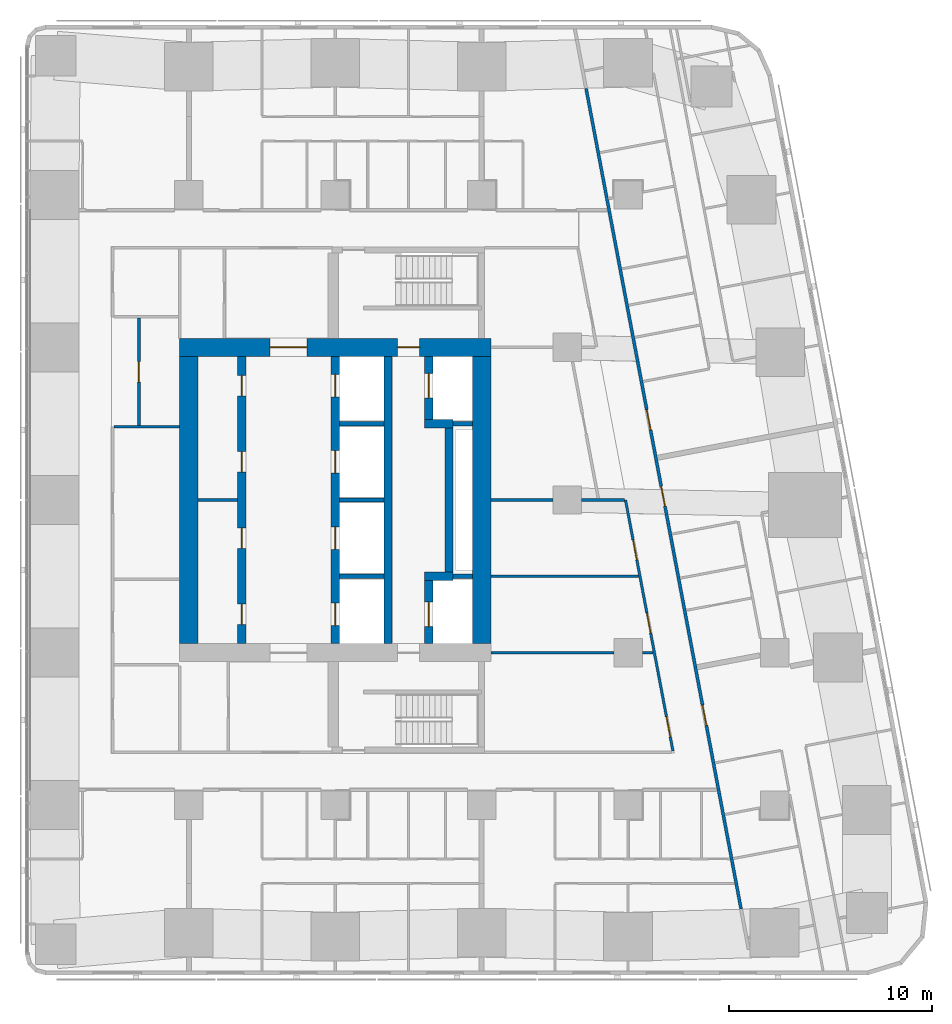
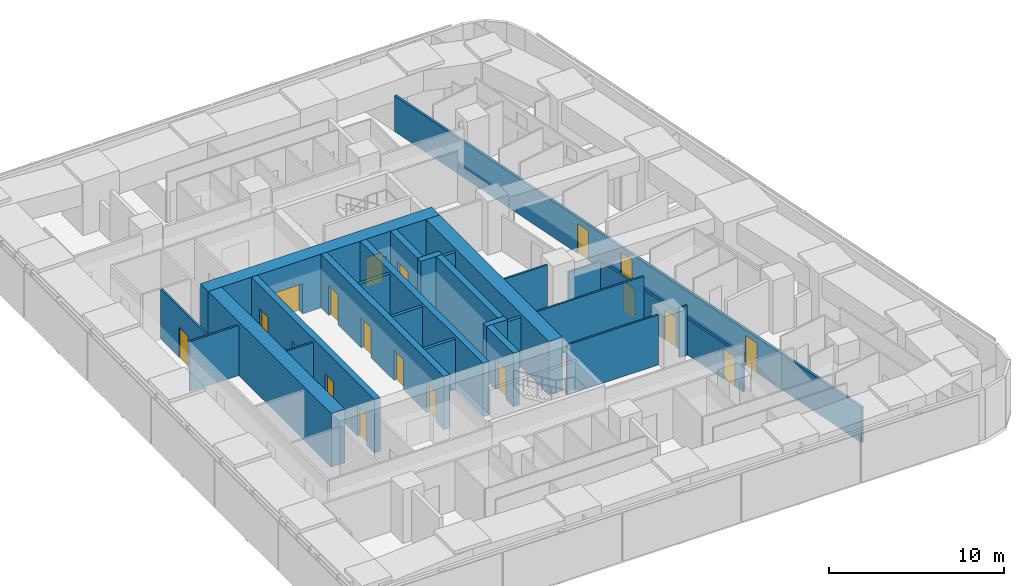
# One storey, part 12 of 19: 26 walls, 19 doors, 19 openings.
"""IFC4 building model written with IfcOpenShell, lengths in metres."""

from ifc_helpers import new_model, si_unit, direction, frame, frame_2d, origin, place, context, subcontext, project, spatial, rectangle, extrude, material, layer, layer_set, type_object, element, fill, save


model = new_model("IFC4")

# Units and contexts
model_context = context("Model", 3, precision=1e-05, world=origin(), true_north=direction((0.0, 1.0)))
body_context = subcontext(model_context, "Body", "Model", "MODEL_VIEW")
ifc_project = project(units=[si_unit("LENGTHUNIT", "METRE"), si_unit("AREAUNIT", "SQUARE_METRE"), si_unit("VOLUMEUNIT", "CUBIC_METRE"), si_unit("PLANEANGLEUNIT", "RADIAN"), si_unit("MASSUNIT", "GRAM", prefix="KILO")], contexts=[model_context])

# Site, building, storey
site_placement = place(None, origin())
site = spatial("IfcSite", under=ifc_project, at=site_placement, CompositionType="ELEMENT")
building_placement = place(site_placement, origin())
building = spatial("IfcBuilding", under=site, at=building_placement, Name="Sheger Commons Tower", CompositionType="ELEMENT")
storey_placement = place(building_placement, frame((0.0, 0.0, 201.199951171875)))
storey = spatial("IfcBuildingStorey", under=building, at=storey_placement, Name="L51", CompositionType="ELEMENT", Elevation=201.199951171875)

# Wall, openings, doors
ifc_material_1 = material(Name="Concrete C50/60", Category="concrete")
ifc_layer_1 = layer(ifc_material_1, 0.39990234375)
ifc_layer_set_1 = layer_set([ifc_layer_1], Name="CORE INNER WALL 400")
wall_type_1 = type_object("IfcWallType", Name="CORE INNER WALL 400", PredefinedType="SHEAR", material=ifc_layer_set_1)
wall_1_placement = place(storey_placement, frame((17.0, 15.449951171875, 0.0), z_axis=(0.0, 0.0, 1.0), x_axis=(0.0, 1.0, 0.0)))
wall_1 = element("IfcWall", 1, at=wall_1_placement, inside=storey, type_object=wall_type_1, Name="Core inner wall A L51", PredefinedType="SHEAR", context=body_context, shape_type="SweptSolid", body=[
    extrude(rectangle(XDim=14.10009765625, YDim=0.39990234375, at=frame_2d((7.050048828125, 0.0))), origin(), (0.0, 0.0, 1.0), 3.75),
])
opening_1_placement = place(wall_1_placement, frame((0.925048828125, 0.0, 0.0)))
opening_1 = element("IfcOpeningElement", 2, at=opening_1_placement, cuts=wall_1, Name="Opening D4", PredefinedType="OPENING", context=body_context, shape_type="SweptSolid", body=[
    extrude(rectangle(XDim=1.0, YDim=2.10009765625, at=frame_2d((0.5, 1.050048828125))), frame((0.0, 0.2099609375, 0.0), z_axis=(0.0, -1.0, 0.0), x_axis=(1.0, 0.0, 0.0)), (0.0, 0.0, 1.0), 0.419921875),
])
opening_2_placement = place(wall_1_placement, frame((4.675048828125, 0.0, 0.0)))
opening_2 = element("IfcOpeningElement", 3, at=opening_2_placement, cuts=wall_1, Name="Opening D4", PredefinedType="OPENING", context=body_context, shape_type="SweptSolid", body=[
    extrude(rectangle(XDim=1.0, YDim=2.10009765625, at=frame_2d((0.5, 1.050048828125))), frame((0.0, 0.2099609375, 0.0), z_axis=(0.0, -1.0, 0.0), x_axis=(1.0, 0.0, 0.0)), (0.0, 0.0, 1.0), 0.419921875),
])
opening_3_placement = place(wall_1_placement, frame((8.425048828125, 0.0, 0.0)))
opening_3 = element("IfcOpeningElement", 4, at=opening_3_placement, cuts=wall_1, Name="Opening D4", PredefinedType="OPENING", context=body_context, shape_type="SweptSolid", body=[
    extrude(rectangle(XDim=1.0, YDim=2.10009765625, at=frame_2d((0.5, 1.050048828125))), frame((0.0, 0.2099609375, 0.0), z_axis=(0.0, -1.0, 0.0), x_axis=(1.0, 0.0, 0.0)), (0.0, 0.0, 1.0), 0.419921875),
])
opening_4_placement = place(wall_1_placement, frame((12.175048828125, 0.0, 0.0)))
opening_4 = element("IfcOpeningElement", 5, at=opening_4_placement, cuts=wall_1, Name="Opening D4", PredefinedType="OPENING", context=body_context, shape_type="SweptSolid", body=[
    extrude(rectangle(XDim=1.0, YDim=2.10009765625, at=frame_2d((0.5, 1.050048828125))), frame((0.0, 0.2099609375, 0.0), z_axis=(0.0, -1.0, 0.0), x_axis=(1.0, 0.0, 0.0)), (0.0, 0.0, 1.0), 0.419921875),
])
ifc_material_2 = material(Name="Steel door set, fire rated", Category="steel")
door_type_1 = type_object("IfcDoorType", Name="SERVICE DOOR 1000x2100", OperationType="NOTDEFINED", PredefinedType="DOOR", material=ifc_material_2)
door_1_placement = place(opening_1_placement, origin())
door_1 = element("IfcDoor", 6, at=door_1_placement, inside=storey, type_object=door_type_1, Name="Residents' bulky goods store door", OperationType="SINGLE_SWING_LEFT", OverallHeight=2.10009765625, OverallWidth=1.0, PredefinedType="DOOR", context=body_context, shape_type="SweptSolid", body=[
    extrude(rectangle(XDim=1.0, YDim=2.10009765625, at=frame_2d((0.5, 1.050048828125))), frame((0.0, 0.02490234375, 0.0), z_axis=(0.0, -1.0, 0.0), x_axis=(1.0, 0.0, 0.0)), (0.0, 0.0, 1.0), 0.050048828125),
])
fill(opening_1, door_1)
door_2_placement = place(opening_2_placement, origin())
door_2 = element("IfcDoor", 7, at=door_2_placement, inside=storey, type_object=door_type_1, Name="Residents' bulky goods store door", OperationType="SINGLE_SWING_RIGHT", OverallHeight=2.10009765625, OverallWidth=1.0, PredefinedType="DOOR", context=body_context, shape_type="SweptSolid", body=[
    extrude(rectangle(XDim=1.0, YDim=2.10009765625, at=frame_2d((0.5, 1.050048828125))), frame((0.0, 0.02490234375, 0.0), z_axis=(0.0, -1.0, 0.0), x_axis=(1.0, 0.0, 0.0)), (0.0, 0.0, 1.0), 0.050048828125),
])
fill(opening_2, door_2)
door_3_placement = place(opening_3_placement, origin())
door_3 = element("IfcDoor", 8, at=door_3_placement, inside=storey, type_object=door_type_1, Name="Maintenance workshop door", OperationType="SINGLE_SWING_LEFT", OverallHeight=2.10009765625, OverallWidth=1.0, PredefinedType="DOOR", context=body_context, shape_type="SweptSolid", body=[
    extrude(rectangle(XDim=1.0, YDim=2.10009765625, at=frame_2d((0.5, 1.050048828125))), frame((0.0, 0.02490234375, 0.0), z_axis=(0.0, -1.0, 0.0), x_axis=(1.0, 0.0, 0.0)), (0.0, 0.0, 1.0), 0.050048828125),
])
fill(opening_3, door_3)
door_4_placement = place(opening_4_placement, origin())
door_4 = element("IfcDoor", 9, at=door_4_placement, inside=storey, type_object=door_type_1, Name="Maintenance workshop door", OperationType="SINGLE_SWING_RIGHT", OverallHeight=2.10009765625, OverallWidth=1.0, PredefinedType="DOOR", context=body_context, shape_type="SweptSolid", body=[
    extrude(rectangle(XDim=1.0, YDim=2.10009765625, at=frame_2d((0.5, 1.050048828125))), frame((0.0, 0.02490234375, 0.0), z_axis=(0.0, -1.0, 0.0), x_axis=(1.0, 0.0, 0.0)), (0.0, 0.0, 1.0), 0.050048828125),
])
fill(opening_4, door_4)

wall_2_placement = place(storey_placement, frame((21.60009765625, 15.449951171875, 0.0), z_axis=(0.0, 0.0, 1.0), x_axis=(0.0, 1.0, 0.0)))
wall_2 = element("IfcWall", 10, at=wall_2_placement, inside=storey, type_object=wall_type_1, Name="Core inner wall L L51", PredefinedType="SHEAR", context=body_context, shape_type="SweptSolid", body=[
    extrude(rectangle(XDim=14.10009765625, YDim=0.39990234375, at=frame_2d((7.050048828125, 0.0))), origin(), (0.0, 0.0, 1.0), 3.75),
])
opening_5_placement = place(wall_2_placement, frame((0.875, 0.0, 0.0)))
opening_5 = element("IfcOpeningElement", 11, at=opening_5_placement, cuts=wall_2, Name="Opening LD", PredefinedType="OPENING", context=body_context, shape_type="SweptSolid", body=[
    extrude(rectangle(XDim=1.10009765625, YDim=2.10009765625, at=frame_2d((0.550048828125, 1.050048828125))), frame((0.0, 0.2099609375, 0.0), z_axis=(0.0, -1.0, 0.0), x_axis=(1.0, 0.0, 0.0)), (0.0, 0.0, 1.0), 0.419921875),
])
opening_6_placement = place(wall_2_placement, frame((4.625, 0.0, 0.0)))
opening_6 = element("IfcOpeningElement", 12, at=opening_6_placement, cuts=wall_2, Name="Opening LD", PredefinedType="OPENING", context=body_context, shape_type="SweptSolid", body=[
    extrude(rectangle(XDim=1.10009765625, YDim=2.10009765625, at=frame_2d((0.550048828125, 1.050048828125))), frame((0.0, 0.2099609375, 0.0), z_axis=(0.0, -1.0, 0.0), x_axis=(1.0, 0.0, 0.0)), (0.0, 0.0, 1.0), 0.419921875),
])
opening_7_placement = place(wall_2_placement, frame((8.375, 0.0, 0.0)))
opening_7 = element("IfcOpeningElement", 13, at=opening_7_placement, cuts=wall_2, Name="Opening LD", PredefinedType="OPENING", context=body_context, shape_type="SweptSolid", body=[
    extrude(rectangle(XDim=1.10009765625, YDim=2.10009765625, at=frame_2d((0.550048828125, 1.050048828125))), frame((0.0, 0.2099609375, 0.0), z_axis=(0.0, -1.0, 0.0), x_axis=(1.0, 0.0, 0.0)), (0.0, 0.0, 1.0), 0.419921875),
])
opening_8_placement = place(wall_2_placement, frame((12.125, 0.0, 0.0)))
opening_8 = element("IfcOpeningElement", 14, at=opening_8_placement, cuts=wall_2, Name="Opening LD", PredefinedType="OPENING", context=body_context, shape_type="SweptSolid", body=[
    extrude(rectangle(XDim=1.10009765625, YDim=2.10009765625, at=frame_2d((0.550048828125, 1.050048828125))), frame((0.0, 0.2099609375, 0.0), z_axis=(0.0, -1.0, 0.0), x_axis=(1.0, 0.0, 0.0)), (0.0, 0.0, 1.0), 0.419921875),
])
ifc_material_3 = material(Name="Steel door set, fire rated", Category="steel")
door_type_2 = type_object("IfcDoorType", Name="LIFT LANDING DOOR 1100x2100", OperationType="DOUBLE_DOOR_SLIDING", PredefinedType="DOOR", material=ifc_material_3)
door_5_placement = place(opening_5_placement, origin())
door_5 = element("IfcDoor", 15, at=door_5_placement, inside=storey, type_object=door_type_2, Name="Lift LB1 landing door", OperationType="DOUBLE_DOOR_SLIDING", OverallHeight=2.10009765625, OverallWidth=1.10009765625, PredefinedType="DOOR", context=body_context, shape_type="SweptSolid", body=[
    extrude(rectangle(XDim=1.10009765625, YDim=2.10009765625, at=frame_2d((0.550048828125, 1.050048828125))), frame((0.0, 0.02490234375, 0.0), z_axis=(0.0, -1.0, 0.0), x_axis=(1.0, 0.0, 0.0)), (0.0, 0.0, 1.0), 0.050048828125),
])
fill(opening_5, door_5)
door_6_placement = place(opening_6_placement, origin())
door_6 = element("IfcDoor", 16, at=door_6_placement, inside=storey, type_object=door_type_2, Name="Lift LB2 landing door", OperationType="DOUBLE_DOOR_SLIDING", OverallHeight=2.10009765625, OverallWidth=1.10009765625, PredefinedType="DOOR", context=body_context, shape_type="SweptSolid", body=[
    extrude(rectangle(XDim=1.10009765625, YDim=2.10009765625, at=frame_2d((0.550048828125, 1.050048828125))), frame((0.0, 0.02490234375, 0.0), z_axis=(0.0, -1.0, 0.0), x_axis=(1.0, 0.0, 0.0)), (0.0, 0.0, 1.0), 0.050048828125),
])
fill(opening_6, door_6)
door_7_placement = place(opening_7_placement, origin())
door_7 = element("IfcDoor", 17, at=door_7_placement, inside=storey, type_object=door_type_2, Name="Lift LB3 landing door", OperationType="DOUBLE_DOOR_SLIDING", OverallHeight=2.10009765625, OverallWidth=1.10009765625, PredefinedType="DOOR", context=body_context, shape_type="SweptSolid", body=[
    extrude(rectangle(XDim=1.10009765625, YDim=2.10009765625, at=frame_2d((0.550048828125, 1.050048828125))), frame((0.0, 0.02490234375, 0.0), z_axis=(0.0, -1.0, 0.0), x_axis=(1.0, 0.0, 0.0)), (0.0, 0.0, 1.0), 0.050048828125),
])
fill(opening_7, door_7)
door_8_placement = place(opening_8_placement, origin())
door_8 = element("IfcDoor", 18, at=door_8_placement, inside=storey, type_object=door_type_2, Name="Lift LB4 landing door", OperationType="DOUBLE_DOOR_SLIDING", OverallHeight=2.10009765625, OverallWidth=1.10009765625, PredefinedType="DOOR", context=body_context, shape_type="SweptSolid", body=[
    extrude(rectangle(XDim=1.10009765625, YDim=2.10009765625, at=frame_2d((0.550048828125, 1.050048828125))), frame((0.0, 0.02490234375, 0.0), z_axis=(0.0, -1.0, 0.0), x_axis=(1.0, 0.0, 0.0)), (0.0, 0.0, 1.0), 0.050048828125),
])
fill(opening_8, door_8)

# Wall
wall_3_placement = place(storey_placement, frame((24.199951171875, 15.449951171875, 0.0), z_axis=(0.0, 0.0, 1.0), x_axis=(0.0, 1.0, 0.0)))
element("IfcWall", 19, at=wall_3_placement, inside=storey, type_object=wall_type_1, Name="Core inner wall B L51", PredefinedType="SHEAR", context=body_context, shape_type="SweptSolid", body=[
    extrude(rectangle(XDim=14.10009765625, YDim=0.39990234375, at=frame_2d((7.050048828125, 0.0))), origin(), (0.0, 0.0, 1.0), 3.75),
])

# Wall, opening, door
wall_4_placement = place(storey_placement, frame((26.199951171875, 15.449951171875, 0.0), z_axis=(0.0, 0.0, 1.0), x_axis=(0.0, 1.0, 0.0)))
wall_4 = element("IfcWall", 20, at=wall_4_placement, inside=storey, type_object=wall_type_1, Name="Core inner wall F L51", PredefinedType="SHEAR", context=body_context, shape_type="SweptSolid", body=[
    extrude(rectangle(XDim=3.10009765625, YDim=0.39990234375, at=frame_2d((1.550048828125, 0.0))), origin(), (0.0, 0.0, 1.0), 3.75),
])
opening_9_placement = place(wall_4_placement, frame((0.824951171875, 0.0, 0.0)))
opening_9 = element("IfcOpeningElement", 21, at=opening_9_placement, cuts=wall_4, Name="Opening LD2", PredefinedType="OPENING", context=body_context, shape_type="SweptSolid", body=[
    extrude(rectangle(XDim=1.199951171875, YDim=2.10009765625, at=frame_2d((0.60009765625, 1.050048828125))), frame((0.0, 0.2099609375, 0.0), z_axis=(0.0, -1.0, 0.0), x_axis=(1.0, 0.0, 0.0)), (0.0, 0.0, 1.0), 0.419921875),
])
ifc_material_4 = material(Name="Steel door set, fire rated", Category="steel")
door_type_3 = type_object("IfcDoorType", Name="FIREFIGHTING LIFT LANDING DOOR 1200x2100", OperationType="DOUBLE_DOOR_SLIDING", PredefinedType="DOOR", material=ifc_material_4)
door_9_placement = place(opening_9_placement, origin())
door_9 = element("IfcDoor", 22, at=door_9_placement, inside=storey, type_object=door_type_3, Name="Lift FL1 landing door", OperationType="DOUBLE_DOOR_SLIDING", OverallHeight=2.10009765625, OverallWidth=1.199951171875, PredefinedType="DOOR", context=body_context, shape_type="SweptSolid", body=[
    extrude(rectangle(XDim=1.199951171875, YDim=2.10009765625, at=frame_2d((0.60009765625, 1.050048828125))), frame((0.0, 0.02490234375, 0.0), z_axis=(0.0, -1.0, 0.0), x_axis=(1.0, 0.0, 0.0)), (0.0, 0.0, 1.0), 0.050048828125),
])
fill(opening_9, door_9)

# Walls
wall_5_placement = place(storey_placement, frame((26.0, 18.75, 0.0), z_axis=(0.0, 0.0, 1.0), x_axis=(1.0, 0.0, 0.0)))
element("IfcWall", 23, at=wall_5_placement, inside=storey, type_object=wall_type_1, Name="Core inner wall F south return L51", PredefinedType="SHEAR", context=body_context, shape_type="SweptSolid", body=[
    extrude(rectangle(XDim=1.39990234375, YDim=0.39990234375, at=frame_2d((0.699951171875, 0.0))), origin(), (0.0, 0.0, 1.0), 3.75),
])
wall_6_placement = place(storey_placement, frame((27.199951171875, 18.949951171875, 0.0), z_axis=(0.0, 0.0, 1.0), x_axis=(0.0, 1.0, 0.0)))
element("IfcWall", 24, at=wall_6_placement, inside=storey, type_object=wall_type_1, Name="Core inner wall F middle L51", PredefinedType="SHEAR", context=body_context, shape_type="SweptSolid", body=[
    extrude(rectangle(XDim=7.10009765625, YDim=0.39990234375, at=frame_2d((3.550048828125, 0.0))), origin(), (0.0, 0.0, 1.0), 3.75),
])
wall_7_placement = place(storey_placement, frame((26.0, 26.25, 0.0), z_axis=(0.0, 0.0, 1.0), x_axis=(1.0, 0.0, 0.0)))
element("IfcWall", 25, at=wall_7_placement, inside=storey, type_object=wall_type_1, Name="Core inner wall F north return L51", PredefinedType="SHEAR", context=body_context, shape_type="SweptSolid", body=[
    extrude(rectangle(XDim=1.39990234375, YDim=0.39990234375, at=frame_2d((0.699951171875, 0.0))), origin(), (0.0, 0.0, 1.0), 3.75),
])

# Wall, opening, door
wall_8_placement = place(storey_placement, frame((26.199951171875, 26.449951171875, 0.0), z_axis=(0.0, 0.0, 1.0), x_axis=(0.0, 1.0, 0.0)))
wall_8 = element("IfcWall", 26, at=wall_8_placement, inside=storey, type_object=wall_type_1, Name="Core inner wall F north L51", PredefinedType="SHEAR", context=body_context, shape_type="SweptSolid", body=[
    extrude(rectangle(XDim=3.10009765625, YDim=0.39990234375, at=frame_2d((1.550048828125, 0.0))), origin(), (0.0, 0.0, 1.0), 3.75),
])
opening_10_placement = place(wall_8_placement, frame((1.074951171875, 0.0, 0.0)))
opening_10 = element("IfcOpeningElement", 27, at=opening_10_placement, cuts=wall_8, Name="Opening LD2", PredefinedType="OPENING", context=body_context, shape_type="SweptSolid", body=[
    extrude(rectangle(XDim=1.199951171875, YDim=2.10009765625, at=frame_2d((0.60009765625, 1.050048828125))), frame((0.0, 0.2099609375, 0.0), z_axis=(0.0, -1.0, 0.0), x_axis=(1.0, 0.0, 0.0)), (0.0, 0.0, 1.0), 0.419921875),
])
door_10_placement = place(opening_10_placement, origin())
door_10 = element("IfcDoor", 28, at=door_10_placement, inside=storey, type_object=door_type_3, Name="Lift FL2 landing door", OperationType="DOUBLE_DOOR_SLIDING", OverallHeight=2.10009765625, OverallWidth=1.199951171875, PredefinedType="DOOR", context=body_context, shape_type="SweptSolid", body=[
    extrude(rectangle(XDim=1.199951171875, YDim=2.10009765625, at=frame_2d((0.60009765625, 1.050048828125))), frame((0.0, 0.02490234375, 0.0), z_axis=(0.0, -1.0, 0.0), x_axis=(1.0, 0.0, 0.0)), (0.0, 0.0, 1.0), 0.050048828125),
])
fill(opening_10, door_10)

# Wall, openings, doors
ifc_material_5 = material(Name="Concrete C50/60", Category="concrete")
ifc_layer_2 = layer(ifc_material_5, 0.89990234375)
ifc_layer_set_2 = layer_set([ifc_layer_2], Name="CORE WALL 900")
wall_type_2 = type_object("IfcWallType", Name="CORE WALL 900", PredefinedType="SHEAR", material=ifc_layer_set_2)
wall_9_placement = place(storey_placement, frame((13.949951171875, 30.0, 0.0), z_axis=(0.0, 0.0, 1.0), x_axis=(1.0, 0.0, 0.0)))
wall_9 = element("IfcWall", 29, at=wall_9_placement, inside=storey, type_object=wall_type_2, Name="Core wall north L51", PredefinedType="SHEAR", context=body_context, shape_type="SweptSolid", body=[
    extrude(rectangle(XDim=15.300048828125, YDim=0.89990234375, at=frame_2d((7.64990234375, 0.0))), origin(), (0.0, 0.0, 1.0), 3.75),
])
opening_11_placement = place(wall_9_placement, frame((4.449951171875, 0.0, 0.0)))
opening_11 = element("IfcOpeningElement", 30, at=opening_11_placement, cuts=wall_9, Name="Opening D6", PredefinedType="OPENING", context=body_context, shape_type="SweptSolid", body=[
    extrude(rectangle(XDim=1.800048828125, YDim=2.10009765625, at=frame_2d((0.89990234375, 1.050048828125))), frame((0.0, 0.4599609375, 0.0), z_axis=(0.0, -1.0, 0.0), x_axis=(1.0, 0.0, 0.0)), (0.0, 0.0, 1.0), 0.919921875),
])
opening_12_placement = place(wall_9_placement, frame((10.699951171875, 0.0, 0.0)))
opening_12 = element("IfcOpeningElement", 31, at=opening_12_placement, cuts=wall_9, Name="Opening D5", PredefinedType="OPENING", context=body_context, shape_type="SweptSolid", body=[
    extrude(rectangle(XDim=1.10009765625, YDim=2.10009765625, at=frame_2d((0.550048828125, 1.050048828125))), frame((0.0, 0.4599609375, 0.0), z_axis=(0.0, -1.0, 0.0), x_axis=(1.0, 0.0, 0.0)), (0.0, 0.0, 1.0), 0.919921875),
])
ifc_material_6 = material(Name="Steel door set, fire rated", Category="steel")
door_type_4 = type_object("IfcDoorType", Name="LOBBY DOUBLE DOOR 1800x2100", OperationType="DOUBLE_DOOR_SINGLE_SWING", PredefinedType="DOOR", material=ifc_material_6)
door_11_placement = place(opening_11_placement, origin())
door_11 = element("IfcDoor", 32, at=door_11_placement, inside=storey, type_object=door_type_4, Name="Lift lobby door", OperationType="DOUBLE_DOOR_SINGLE_SWING", OverallHeight=2.10009765625, OverallWidth=1.800048828125, PredefinedType="DOOR", context=body_context, shape_type="SweptSolid", body=[
    extrude(rectangle(XDim=1.800048828125, YDim=2.10009765625, at=frame_2d((0.89990234375, 1.050048828125))), frame((0.0, 0.02490234375, 0.0), z_axis=(0.0, -1.0, 0.0), x_axis=(1.0, 0.0, 0.0)), (0.0, 0.0, 1.0), 0.050048828125),
])
fill(opening_11, door_11)
ifc_material_7 = material(Name="Steel door set, fire rated", Category="steel")
door_type_5 = type_object("IfcDoorType", Name="STAIR DOOR 1100x2100", OperationType="NOTDEFINED", PredefinedType="DOOR", material=ifc_material_7)
door_12_placement = place(opening_12_placement, origin())
door_12 = element("IfcDoor", 33, at=door_12_placement, inside=storey, type_object=door_type_5, Name="Fire-fighting lobby door", OperationType="SINGLE_SWING_LEFT", OverallHeight=2.10009765625, OverallWidth=1.10009765625, PredefinedType="DOOR", context=body_context, shape_type="SweptSolid", body=[
    extrude(rectangle(XDim=1.10009765625, YDim=2.10009765625, at=frame_2d((0.550048828125, 1.050048828125))), frame((0.0, 0.02490234375, 0.0), z_axis=(0.0, -1.0, 0.0), x_axis=(1.0, 0.0, 0.0)), (0.0, 0.0, 1.0), 0.050048828125),
])
fill(opening_12, door_12)

# Walls
for number, where, z_axis, x_axis, name in (
    (34, (14.39990234375, 15.449951171875, 0.0), (0.0, 0.0, 1.0), (0.0, 1.0, 0.0), "Core wall west L51"),
    (35, (28.800048828125, 15.449951171875, 0.0), (0.0, 0.0, 1.0), (0.0, 1.0, 0.0), "Core wall east L51"),
):
    element("IfcWall", number, at=place(storey_placement, frame(where, z_axis=z_axis, x_axis=x_axis)), inside=storey, type_object=wall_type_2, Name=name, PredefinedType="SHEAR", context=body_context, shape_type="SweptSolid", body=[
        extrude(rectangle(XDim=14.10009765625, YDim=0.89990234375, at=frame_2d((7.050048828125, 0.0))), origin(), (0.0, 0.0, 1.0), 3.75),
    ])

# Wall, openings, doors
ifc_material_8 = material(Name="Hollow concrete block masonry, skimmed both sides", Category="masonry")
ifc_layer_3 = layer(ifc_material_8, 0.14990234375)
ifc_layer_set_3 = layer_set([ifc_layer_3], Name="CORRIDOR WALL 150")
wall_type_3 = type_object("IfcWallType", Name="CORRIDOR WALL 150", PredefinedType="SOLIDWALL", material=ifc_layer_set_3)
wall_10_placement = place(storey_placement, frame((33.93310546875, 42.72998046875, 0.0), z_axis=(0.0, 0.0, 1.0), x_axis=(0.185595417643, -0.982626246825, 0.0)))
wall_10 = element("IfcWall", 36, at=wall_10_placement, inside=storey, type_object=wall_type_3, Name="Corridor wall L51", PredefinedType="SOLIDWALL", context=body_context, shape_type="SweptSolid", body=[
    extrude(rectangle(XDim=41.051025390625, YDim=0.14990234375, at=frame_2d((20.525390625, 0.0))), origin(), (0.0, 0.0, 1.0), 2.5),
])
opening_13_placement = place(wall_10_placement, frame((16.08203125, 0.0, 0.0)))
opening_13 = element("IfcOpeningElement", 37, at=opening_13_placement, cuts=wall_10, Name="Opening D1", PredefinedType="OPENING", context=body_context, shape_type="SweptSolid", body=[
    extrude(rectangle(XDim=1.0, YDim=2.10009765625, at=frame_2d((0.5, 1.050048828125))), frame((0.0, 0.0849609375, 0.0), z_axis=(0.0, -1.0, 0.0), x_axis=(1.0, 0.0, 0.0)), (0.0, 0.0, 1.0), 0.169921875),
])
opening_14_placement = place(wall_10_placement, frame((19.89794921875, 0.0, 0.0)))
opening_14 = element("IfcOpeningElement", 38, at=opening_14_placement, cuts=wall_10, Name="Opening D1", PredefinedType="OPENING", context=body_context, shape_type="SweptSolid", body=[
    extrude(rectangle(XDim=1.0, YDim=2.10009765625, at=frame_2d((0.5, 1.050048828125))), frame((0.0, 0.0849609375, 0.0), z_axis=(0.0, -1.0, 0.0), x_axis=(1.0, 0.0, 0.0)), (0.0, 0.0, 1.0), 0.169921875),
])
opening_15_placement = place(wall_10_placement, frame((30.862060546875, 0.0, 0.0)))
opening_15 = element("IfcOpeningElement", 39, at=opening_15_placement, cuts=wall_10, Name="Opening D1", PredefinedType="OPENING", context=body_context, shape_type="SweptSolid", body=[
    extrude(rectangle(XDim=1.0, YDim=2.10009765625, at=frame_2d((0.5, 1.050048828125))), frame((0.0, 0.0849609375, 0.0), z_axis=(0.0, -1.0, 0.0), x_axis=(1.0, 0.0, 0.0)), (0.0, 0.0, 1.0), 0.169921875),
])
ifc_material_9 = material(Name="Steel door set, fire rated", Category="steel")
door_type_6 = type_object("IfcDoorType", Name="FLAT ENTRANCE DOOR 1000x2100", OperationType="NOTDEFINED", PredefinedType="DOOR", material=ifc_material_9)
door_13_placement = place(opening_13_placement, origin())
door_13 = element("IfcDoor", 40, at=door_13_placement, inside=storey, type_object=door_type_6, Name="Flat entrance door", OperationType="SINGLE_SWING_RIGHT", OverallHeight=2.10009765625, OverallWidth=1.0, PredefinedType="DOOR", context=body_context, shape_type="SweptSolid", body=[
    extrude(rectangle(XDim=1.0, YDim=2.10009765625, at=frame_2d((0.5, 1.050048828125))), frame((0.0, 0.02490234375, 0.0), z_axis=(0.0, -1.0, 0.0), x_axis=(1.0, 0.0, 0.0)), (0.0, 0.0, 1.0), 0.050048828125),
])
fill(opening_13, door_13)
door_14_placement = place(opening_14_placement, origin())
door_14 = element("IfcDoor", 41, at=door_14_placement, inside=storey, type_object=door_type_6, Name="Flat entrance door", OperationType="SINGLE_SWING_LEFT", OverallHeight=2.10009765625, OverallWidth=1.0, PredefinedType="DOOR", context=body_context, shape_type="SweptSolid", body=[
    extrude(rectangle(XDim=1.0, YDim=2.10009765625, at=frame_2d((0.5, 1.050048828125))), frame((0.0, 0.02490234375, 0.0), z_axis=(0.0, -1.0, 0.0), x_axis=(1.0, 0.0, 0.0)), (0.0, 0.0, 1.0), 0.050048828125),
])
fill(opening_14, door_14)
door_15_placement = place(opening_15_placement, origin())
door_15 = element("IfcDoor", 42, at=door_15_placement, inside=storey, type_object=door_type_6, Name="Flat entrance door", OperationType="SINGLE_SWING_LEFT", OverallHeight=2.10009765625, OverallWidth=1.0, PredefinedType="DOOR", context=body_context, shape_type="SweptSolid", body=[
    extrude(rectangle(XDim=1.0, YDim=2.10009765625, at=frame_2d((0.5, 1.050048828125))), frame((0.0, 0.02490234375, 0.0), z_axis=(0.0, -1.0, 0.0), x_axis=(1.0, 0.0, 0.0)), (0.0, 0.0, 1.0), 0.050048828125),
])
fill(opening_15, door_15)

# Wall, opening, door
ifc_material_10 = material(Name="Gypsum board on steel studs, two layers each side, fire rated", Category="steel")
ifc_layer_4 = layer(ifc_material_10, 0.125)
ifc_layer_set_4 = layer_set([ifc_layer_4], Name="SERVICE WALL 125")
wall_type_4 = type_object("IfcWallType", Name="SERVICE WALL 125", PredefinedType="PARTITIONING", material=ifc_layer_set_4)
wall_11_placement = place(storey_placement, frame((11.949951171875, 26.1630859375, 0.0), z_axis=(0.0, 0.0, 1.0), x_axis=(0.0, 1.0, 0.0)))
wall_11 = element("IfcWall", 43, at=wall_11_placement, inside=storey, type_object=wall_type_4, Name="Service room wall L51", PredefinedType="PARTITIONING", context=body_context, shape_type="SweptSolid", body=[
    extrude(rectangle(XDim=5.27490234375, YDim=0.125, at=frame_2d((2.637451171875, 0.0))), origin(), (0.0, 0.0, 1.0), 3.5),
])
opening_16_placement = place(wall_11_placement, frame((2.136962890625, 0.0, 0.0)))
opening_16 = element("IfcOpeningElement", 44, at=opening_16_placement, cuts=wall_11, Name="Opening D4", PredefinedType="OPENING", context=body_context, shape_type="SweptSolid", body=[
    extrude(rectangle(XDim=1.0, YDim=2.10009765625, at=frame_2d((0.5, 1.050048828125))), frame((0.0, 0.072509765625, 0.0), z_axis=(0.0, -1.0, 0.0), x_axis=(1.0, 0.0, 0.0)), (0.0, 0.0, 1.0), 0.14501953125),
])
door_16_placement = place(opening_16_placement, origin())
door_16 = element("IfcDoor", 45, at=door_16_placement, inside=storey, type_object=door_type_1, Name="Laundry and drying room door", OperationType="SINGLE_SWING_LEFT", OverallHeight=2.10009765625, OverallWidth=1.0, PredefinedType="DOOR", context=body_context, shape_type="SweptSolid", body=[
    extrude(rectangle(XDim=1.0, YDim=2.10009765625, at=frame_2d((0.5, 1.050048828125))), frame((0.0, 0.02490234375, 0.0), z_axis=(0.0, -1.0, 0.0), x_axis=(1.0, 0.0, 0.0)), (0.0, 0.0, 1.0), 0.050048828125),
])
fill(opening_16, door_16)

# Wall
wall_12_placement = place(storey_placement, frame((10.712890625, 26.10009765625, 0.0), z_axis=(0.0, 0.0, 1.0), x_axis=(1.0, 0.0, 0.0)))
element("IfcWall", 46, at=wall_12_placement, inside=storey, type_object=wall_type_4, Name="Service room wall L51", PredefinedType="PARTITIONING", context=body_context, shape_type="SweptSolid", body=[
    extrude(rectangle(XDim=3.237060546875, YDim=0.125, at=frame_2d((1.61865234375, 0.0))), origin(), (0.0, 0.0, 1.0), 3.5),
])

# Wall, openings, doors
wall_13_placement = place(storey_placement, frame((38.201904296875, 10.1630859375, 0.0), z_axis=(0.0, 0.0, 1.0), x_axis=(-0.185645577403, 0.982616771479, 0.0)))
wall_13 = element("IfcWall", 47, at=wall_13_placement, inside=storey, type_object=wall_type_4, Name="Service room wall L51", PredefinedType="PARTITIONING", context=body_context, shape_type="SweptSolid", body=[
    extrude(rectangle(XDim=12.55517578125, YDim=0.125, at=frame_2d((6.277587890625, 0.0))), origin(), (0.0, 0.0, 1.0), 2.5),
])
opening_17_placement = place(wall_13_placement, frame((0.7080078125, 0.0, 0.0)))
opening_17 = element("IfcOpeningElement", 48, at=opening_17_placement, cuts=wall_13, Name="Opening D4", PredefinedType="OPENING", context=body_context, shape_type="SweptSolid", body=[
    extrude(rectangle(XDim=1.0, YDim=2.10009765625, at=frame_2d((0.5, 1.050048828125))), frame((0.0, 0.072509765625, 0.0), z_axis=(0.0, -1.0, 0.0), x_axis=(1.0, 0.0, 0.0)), (0.0, 0.0, 1.0), 0.14501953125),
])
opening_18_placement = place(wall_13_placement, frame((5.89990234375, 0.0, 0.0)))
opening_18 = element("IfcOpeningElement", 49, at=opening_18_placement, cuts=wall_13, Name="Opening D4", PredefinedType="OPENING", context=body_context, shape_type="SweptSolid", body=[
    extrude(rectangle(XDim=1.0, YDim=2.10009765625, at=frame_2d((0.5, 1.050048828125))), frame((0.0, 0.072509765625, 0.0), z_axis=(0.0, -1.0, 0.0), x_axis=(1.0, 0.0, 0.0)), (0.0, 0.0, 1.0), 0.14501953125),
])
opening_19_placement = place(wall_13_placement, frame((9.56201171875, 0.0, 0.0)))
opening_19 = element("IfcOpeningElement", 50, at=opening_19_placement, cuts=wall_13, Name="Opening D4", PredefinedType="OPENING", context=body_context, shape_type="SweptSolid", body=[
    extrude(rectangle(XDim=1.0, YDim=2.10009765625, at=frame_2d((0.5, 1.050048828125))), frame((0.0, 0.072509765625, 0.0), z_axis=(0.0, -1.0, 0.0), x_axis=(1.0, 0.0, 0.0)), (0.0, 0.0, 1.0), 0.14501953125),
])
door_17_placement = place(opening_17_placement, origin())
door_17 = element("IfcDoor", 51, at=door_17_placement, inside=storey, type_object=door_type_1, Name="Residents' study room door", OperationType="SINGLE_SWING_LEFT", OverallHeight=2.10009765625, OverallWidth=1.0, PredefinedType="DOOR", context=body_context, shape_type="SweptSolid", body=[
    extrude(rectangle(XDim=1.0, YDim=2.10009765625, at=frame_2d((0.5, 1.050048828125))), frame((0.0, 0.02490234375, 0.0), z_axis=(0.0, -1.0, 0.0), x_axis=(1.0, 0.0, 0.0)), (0.0, 0.0, 1.0), 0.050048828125),
])
fill(opening_17, door_17)
door_18_placement = place(opening_18_placement, origin())
door_18 = element("IfcDoor", 52, at=door_18_placement, inside=storey, type_object=door_type_1, Name="Residents' hobby room door", OperationType="SINGLE_SWING_LEFT", OverallHeight=2.10009765625, OverallWidth=1.0, PredefinedType="DOOR", context=body_context, shape_type="SweptSolid", body=[
    extrude(rectangle(XDim=1.0, YDim=2.10009765625, at=frame_2d((0.5, 1.050048828125))), frame((0.0, 0.02490234375, 0.0), z_axis=(0.0, -1.0, 0.0), x_axis=(1.0, 0.0, 0.0)), (0.0, 0.0, 1.0), 0.050048828125),
])
fill(opening_18, door_18)
door_19_placement = place(opening_19_placement, origin())
door_19 = element("IfcDoor", 53, at=door_19_placement, inside=storey, type_object=door_type_1, Name="Bicycle and pram store door", OperationType="SINGLE_SWING_LEFT", OverallHeight=2.10009765625, OverallWidth=1.0, PredefinedType="DOOR", context=body_context, shape_type="SweptSolid", body=[
    extrude(rectangle(XDim=1.0, YDim=2.10009765625, at=frame_2d((0.5, 1.050048828125))), frame((0.0, 0.02490234375, 0.0), z_axis=(0.0, -1.0, 0.0), x_axis=(1.0, 0.0, 0.0)), (0.0, 0.0, 1.0), 0.050048828125),
])
fill(opening_19, door_19)

# Walls
wall_14_placement = place(storey_placement, frame((29.25, 15.0, 0.0), z_axis=(0.0, 0.0, 1.0), x_axis=(1.0, 0.0, 0.0)))
element("IfcWall", 54, at=wall_14_placement, inside=storey, type_object=wall_type_4, Name="Service room wall L51", PredefinedType="PARTITIONING", context=body_context, shape_type="SweptSolid", body=[
    extrude(rectangle(XDim=6.049072265625, YDim=0.125, at=frame_2d((3.0244140625, 0.0))), origin(), (0.0, 0.0, 1.0), 3.5),
])
wall_15_placement = place(storey_placement, frame((36.700927734375, 15.0, 0.0), z_axis=(0.0, 0.0, 1.0), x_axis=(1.0, 0.0, 0.0)))
element("IfcWall", 55, at=wall_15_placement, inside=storey, type_object=wall_type_4, Name="Service room wall L51", PredefinedType="PARTITIONING", context=body_context, shape_type="SweptSolid", body=[
    extrude(rectangle(XDim=0.511962890625, YDim=0.125, at=frame_2d((0.255859375, 0.0))), origin(), (0.0, 0.0, 1.0), 3.5),
])
wall_16_placement = place(storey_placement, frame((29.25, 18.75, 0.0), z_axis=(0.0, 0.0, 1.0), x_axis=(1.0, 0.0, 0.0)))
element("IfcWall", 56, at=wall_16_placement, inside=storey, type_object=wall_type_4, Name="Service room wall L51", PredefinedType="PARTITIONING", context=body_context, shape_type="SweptSolid", body=[
    extrude(rectangle(XDim=7.25390625, YDim=0.125, at=frame_2d((3.626953125, 0.0))), origin(), (0.0, 0.0, 1.0), 3.5),
])
wall_17_placement = place(storey_placement, frame((29.25, 22.5, 0.0), z_axis=(0.0, 0.0, 1.0), x_axis=(1.0, 0.0, 0.0)))
element("IfcWall", 57, at=wall_17_placement, inside=storey, type_object=wall_type_4, Name="Service room wall L51", PredefinedType="PARTITIONING", context=body_context, shape_type="SweptSolid", body=[
    extrude(rectangle(XDim=3.049072265625, YDim=0.125, at=frame_2d((1.5244140625, 0.0))), origin(), (0.0, 0.0, 1.0), 3.5),
])
wall_18_placement = place(storey_placement, frame((33.700927734375, 22.5, 0.0), z_axis=(0.0, 0.0, 1.0), x_axis=(1.0, 0.0, 0.0)))
element("IfcWall", 58, at=wall_18_placement, inside=storey, type_object=wall_type_4, Name="Service room wall L51", PredefinedType="PARTITIONING", context=body_context, shape_type="SweptSolid", body=[
    extrude(rectangle(XDim=2.109130859375, YDim=0.125, at=frame_2d((1.0546875, 0.0))), origin(), (0.0, 0.0, 1.0), 2.5),
])
wall_19_placement = place(storey_placement, frame((14.85009765625, 22.5, 0.0), z_axis=(0.0, 0.0, 1.0), x_axis=(1.0, 0.0, 0.0)))
element("IfcWall", 59, at=wall_19_placement, inside=storey, type_object=wall_type_4, Name="Service room wall L51", PredefinedType="PARTITIONING", context=body_context, shape_type="SweptSolid", body=[
    extrude(rectangle(XDim=1.949951171875, YDim=0.125, at=frame_2d((0.97509765625, 0.0))), origin(), (0.0, 0.0, 1.0), 3.5),
])
ifc_material_11 = material(Name="Hollow concrete block masonry", Category="masonry")
ifc_layer_5 = layer(ifc_material_11, 0.199951171875)
ifc_layer_set_5 = layer_set([ifc_layer_5], Name="SHAFT WALL 200")
wall_type_5 = type_object("IfcWallType", Name="SHAFT WALL 200", PredefinedType="SOLIDWALL", material=ifc_layer_set_5)
for number, where, z_axis, x_axis, name in (
    (60, (21.800048828125, 18.75, 0.0), (0.0, 0.0, 1.0), (1.0, 0.0, 0.0), "Lift shaft wall L51"),
    (61, (21.800048828125, 22.5, 0.0), (0.0, 0.0, 1.0), (1.0, 0.0, 0.0), "Lift shaft wall L51"),
    (62, (21.800048828125, 26.25, 0.0), (0.0, 0.0, 1.0), (1.0, 0.0, 0.0), "Lift shaft wall L51"),
):
    element("IfcWall", number, at=place(storey_placement, frame(where, z_axis=z_axis, x_axis=x_axis)), inside=storey, type_object=wall_type_5, Name=name, PredefinedType="SOLIDWALL", context=body_context, shape_type="SweptSolid", body=[
        extrude(rectangle(XDim=2.199951171875, YDim=0.199951171875, at=frame_2d((1.10009765625, 0.0))), origin(), (0.0, 0.0, 1.0), 3.5),
    ])
for number, where, z_axis, x_axis, name in (
    (63, (27.39990234375, 18.75, 0.0), (0.0, 0.0, 1.0), (1.0, 0.0, 0.0), "Lift shaft wall L51"),
    (64, (27.39990234375, 26.25, 0.0), (0.0, 0.0, 1.0), (1.0, 0.0, 0.0), "Lift shaft wall L51"),
):
    element("IfcWall", number, at=place(storey_placement, frame(where, z_axis=z_axis, x_axis=x_axis)), inside=storey, type_object=wall_type_5, Name=name, PredefinedType="SOLIDWALL", context=body_context, shape_type="SweptSolid", body=[
        extrude(rectangle(XDim=0.9501953125, YDim=0.199951171875, at=frame_2d((0.47509765625, 0.0))), origin(), (0.0, 0.0, 1.0), 3.5),
    ])

save(model, "model.ifc")
